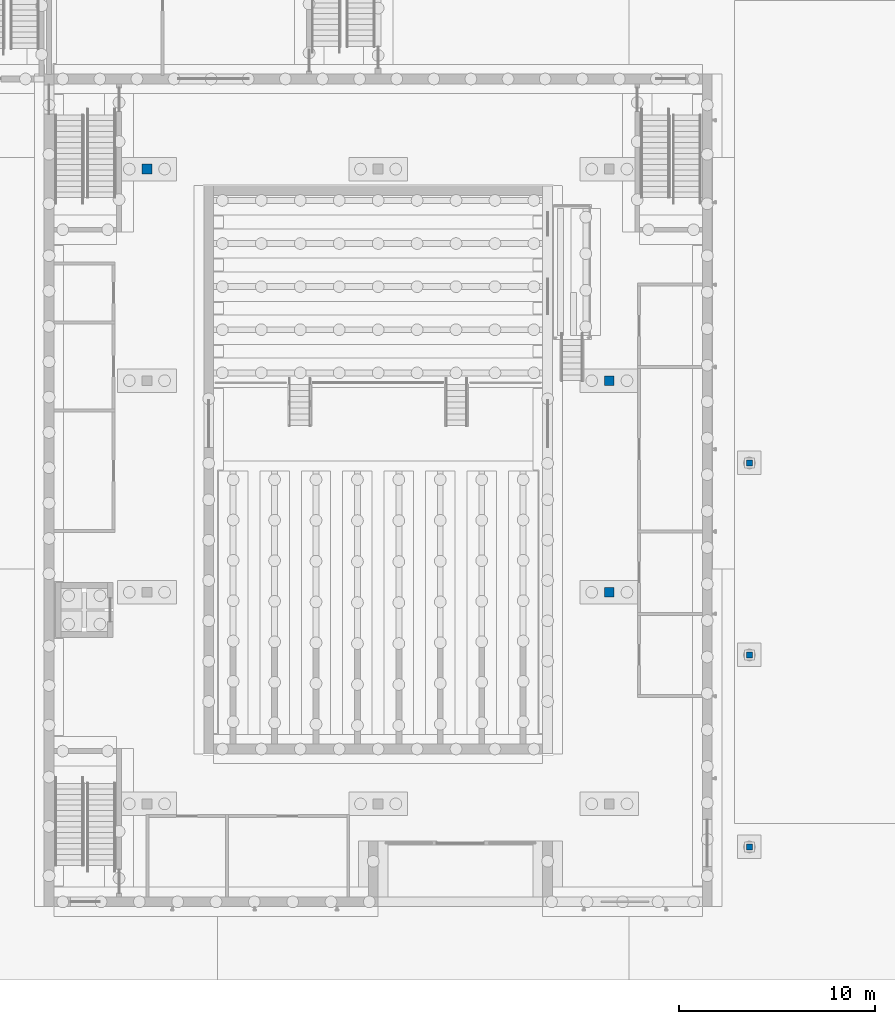
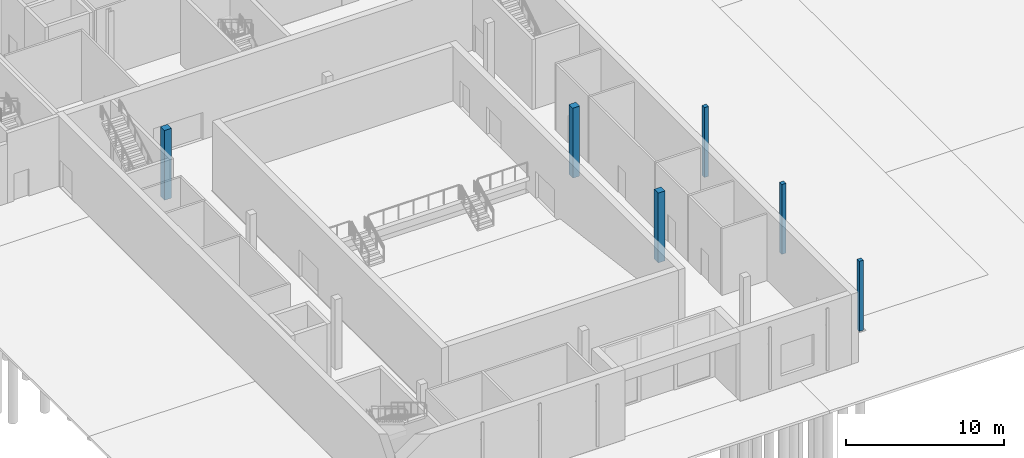
# One storey, part 17 of 127: 6 columns.
"""IFC4 building model written with IfcOpenShell, lengths in metres."""

from ifc_helpers import new_model, si_unit, direction, frame, origin, origin_2d, place, context, subcontext, project, spatial, rectangle, extrude, material, material_profile, profile_set, type_object, element, save


model = new_model("IFC4")

# Units and contexts
model_context = context("Model", 3, precision=1e-05, world=origin(), true_north=direction((0.0, 1.0)))
body_context = subcontext(model_context, "Body", "Model", "MODEL_VIEW")
ifc_project = project(units=[si_unit("LENGTHUNIT", "METRE"), si_unit("AREAUNIT", "SQUARE_METRE"), si_unit("VOLUMEUNIT", "CUBIC_METRE"), si_unit("PLANEANGLEUNIT", "RADIAN"), si_unit("MASSUNIT", "GRAM", prefix="KILO")], contexts=[model_context])

# Site, building, storey
site_placement = place(None, origin())
site = spatial("IfcSite", under=ifc_project, at=site_placement, CompositionType="ELEMENT")
building_placement = place(site_placement, origin())
building = spatial("IfcBuilding", under=site, at=building_placement, Name="Ljudholm Concert House", CompositionType="ELEMENT")
storey_placement = place(building_placement, origin())
storey = spatial("IfcBuildingStorey", under=building, at=storey_placement, Name="L00", CompositionType="ELEMENT", Elevation=0.0)

# Columns
ifc_material_1 = material(Name="Concrete 6,500 psi", Category="concrete")
ifc_material_profile_1 = material_profile(ifc_material_1, rectangle(XDim=0.300048828125, YDim=0.300048828125, at=origin_2d()), Name="RC COLUMN 300x300")
ifc_profile_set_1 = profile_set([ifc_material_profile_1], Name="Concrete 6,500 psi")
column_type_1 = type_object("IfcColumnType", Name="RC COLUMN 300x300", PredefinedType="COLUMN", material=ifc_profile_set_1)
for number, where, z_axis, x_axis, name in (
    (1, (48.14990234375, 6.800048828125, 0.0), (0.0, 0.0, 1.0), (1.0, 0.0, 0.0), "Loggia edge column"),
    (2, (48.14990234375, 16.60009765625, 0.0), (0.0, 0.0, 1.0), (1.0, 0.0, 0.0), "Loggia edge column"),
    (3, (48.14990234375, 26.39990234375, 0.0), (0.0, 0.0, 1.0), (1.0, 0.0, 0.0), "Loggia edge column"),
):
    element("IfcColumn", number, at=place(storey_placement, frame(where, z_axis=z_axis, x_axis=x_axis)), inside=storey, type_object=column_type_1, Name=name, PredefinedType="COLUMN", context=body_context, shape_type="SweptSolid", body=[
        extrude(rectangle(XDim=0.300048828125, YDim=0.300048828125, at=origin_2d()), origin(), (0.0, 0.0, 1.0), 5.39990234375),
    ])
ifc_material_2 = material(Name="Concrete 6,500 psi", Category="concrete")
ifc_material_profile_2 = material_profile(ifc_material_2, rectangle(XDim=0.5, YDim=0.5, at=origin_2d()), Name="RC COLUMN 500x500")
ifc_profile_set_2 = profile_set([ifc_material_profile_2], Name="Concrete 6,500 psi")
column_type_2 = type_object("IfcColumnType", Name="RC COLUMN 500x500", PredefinedType="COLUMN", material=ifc_profile_set_2)
for number, where, z_axis, x_axis, name in (
    (4, (17.39990234375, 41.39990234375, 0.0), (0.0, 0.0, 1.0), (1.0, 0.0, 0.0), "Ring column"),
    (5, (41.0, 19.800048828125, 0.0), (0.0, 0.0, 1.0), (1.0, 0.0, 0.0), "Ring column"),
    (6, (41.0, 30.60009765625, 0.0), (0.0, 0.0, 1.0), (1.0, 0.0, 0.0), "Ring column"),
):
    element("IfcColumn", number, at=place(storey_placement, frame(where, z_axis=z_axis, x_axis=x_axis)), inside=storey, type_object=column_type_2, Name=name, PredefinedType="COLUMN", context=body_context, shape_type="SweptSolid", body=[
        extrude(rectangle(XDim=0.5, YDim=0.5, at=origin_2d()), origin(), (0.0, 0.0, 1.0), 5.39990234375),
    ])

save(model, "model.ifc")
